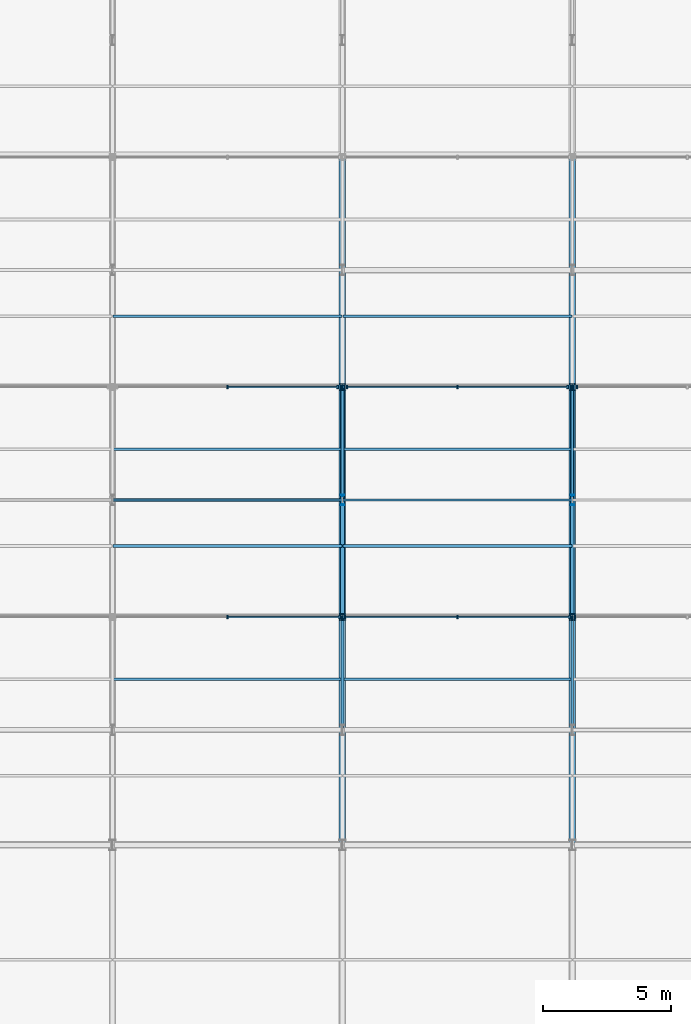
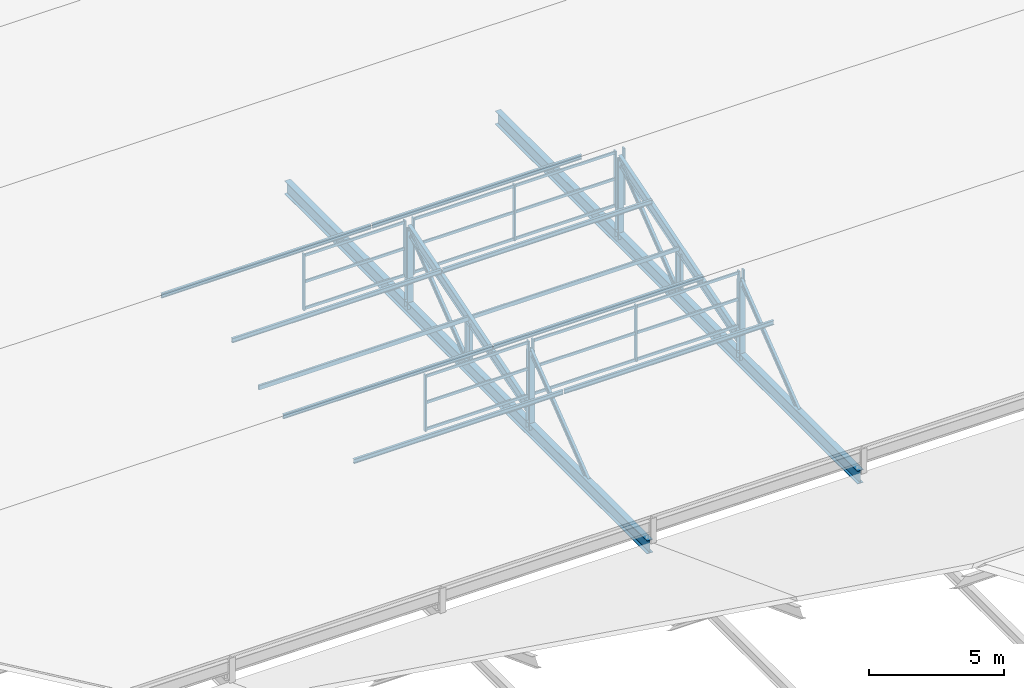
# One storey, part 50 of 163: 52 members, 2 beams, 6 elements without a shape of their own.
"""IFC4 building model written with IfcOpenShell, lengths in metres."""

from ifc_helpers import new_model, si_unit, direction, frame, origin, origin_2d, place, context, subcontext, project, spatial, rectangle, hollow_rectangle, i_section, extrude, material, material_profile, profile_set, type_object, element, aggregate, save


model = new_model("IFC4")

# Units and contexts
model_context = context("Model", 3, precision=1e-05, world=origin(), true_north=direction((0.0, 1.0)))
body_context = subcontext(model_context, "Body", "Model", "MODEL_VIEW")
ifc_project = project(units=[si_unit("LENGTHUNIT", "METRE"), si_unit("AREAUNIT", "SQUARE_METRE"), si_unit("VOLUMEUNIT", "CUBIC_METRE"), si_unit("PLANEANGLEUNIT", "RADIAN"), si_unit("MASSUNIT", "GRAM", prefix="KILO")], contexts=[model_context])

# Site, building, storey
site_placement = place(None, origin())
site = spatial("IfcSite", under=ifc_project, at=site_placement, CompositionType="ELEMENT")
building_placement = place(site_placement, origin())
building = spatial("IfcBuilding", under=site, at=building_placement, Name="Tharagai Park Tramway Depot", CompositionType="ELEMENT")
storey_placement = place(building_placement, frame((0.0, 0.0, 8.39990234375)))
storey = spatial("IfcBuildingStorey", under=building, at=storey_placement, Name="L02", CompositionType="ELEMENT", Elevation=8.39990234375)

# Beams
ifc_material_1 = material(Name="Steel E350", Category="steel")
ifc_material_profile_1 = material_profile(ifc_material_1, i_section(OverallWidth=0.25, OverallDepth=0.60009765625, WebThickness=0.01171875, FlangeThickness=0.023681640625, FilletRadius=0.01708984375, at=origin_2d()), Name="ISWB 600")
ifc_profile_set_1 = profile_set([ifc_material_profile_1], Name="Steel E350")
beam_type = type_object("IfcBeamType", Name="BM-01", PredefinedType="BEAM", material=ifc_profile_set_1)
for number, where, z_axis, x_axis, name in (
    (1, (36.0, 90.080078125, -0.25), (0.0, 1.0, 0.0), (-1.0, 0.0, 0.0), "Sawtooth Truss Bottom Tie Girder BM-01"),
    (2, (45.0, 90.080078125, -0.25), (0.0, 1.0, 0.0), (-1.0, 0.0, 0.0), "Sawtooth Truss Bottom Tie Girder BM-01"),
):
    element("IfcBeam", number, at=place(storey_placement, frame(where, z_axis=z_axis, x_axis=x_axis)), inside=storey, type_object=beam_type, Name=name, PredefinedType="BEAM", context=body_context, shape_type="SweptSolid", body=[
        extrude(i_section(OverallWidth=0.25, OverallDepth=0.60009765625, WebThickness=0.01171875, FlangeThickness=0.023681640625, FilletRadius=0.01708984375, at=origin_2d()), origin(), (0.0, 0.0, 1.0), 26.83984375),
    ])

# Members
ifc_material_profile_2 = material_profile(ifc_material_1, i_section(OverallWidth=0.25, OverallDepth=0.25, WebThickness=0.0087890625, FlangeThickness=0.009765625, FilletRadius=0.010009765625, at=origin_2d()), Name="ISHB 250")
ifc_profile_set_2 = profile_set([ifc_material_profile_2], Name="Steel E350")
member_type_1 = type_object("IfcMemberType", Name="BR-01", PredefinedType="BRACE", material=ifc_profile_set_2)
for number, where, z_axis, x_axis, name in (
    (3, (36.0, 98.919921875, -0.25), (0.0, 0.0, 1.0), (1.0, 0.0, 0.0), "Sawtooth North Vertical Post BR-01"),
    (4, (36.0, 107.919921875, -0.25), (0.0, 0.0, 1.0), (1.0, 0.0, 0.0), "Sawtooth North Vertical Post BR-01"),
    (5, (45.0, 98.919921875, -0.25), (0.0, 0.0, 1.0), (1.0, 0.0, 0.0), "Sawtooth North Vertical Post BR-01"),
    (6, (45.0, 107.919921875, -0.25), (0.0, 0.0, 1.0), (1.0, 0.0, 0.0), "Sawtooth North Vertical Post BR-01"),
):
    element("IfcMember", number, at=place(storey_placement, frame(where, z_axis=z_axis, x_axis=x_axis)), inside=storey, type_object=member_type_1, Name=name, PredefinedType="BRACE", context=body_context, shape_type="SweptSolid", body=[
        extrude(i_section(OverallWidth=0.25, OverallDepth=0.25, WebThickness=0.0087890625, FlangeThickness=0.009765625, FilletRadius=0.010009765625, at=origin_2d()), origin(), (0.0, 0.0, 1.0), 3.55517578125),
    ])
ifc_material_profile_3 = material_profile(ifc_material_1, i_section(OverallWidth=0.110107421875, OverallDepth=0.22509765625, WebThickness=0.006591796875, FlangeThickness=0.01171875, FilletRadius=0.011962890625, at=origin_2d()), Name="ISMB 225")
ifc_profile_set_3 = profile_set([ifc_material_profile_3], Name="Steel E350")
member_type_2 = type_object("IfcMemberType", Name="BR-04", PredefinedType="BRACE", material=ifc_profile_set_3)
for number, where, z_axis, x_axis, name in (
    (7, (36.0, 94.64990234375, 0.0), (0.0, 0.790781596, 0.612098413188), (-1.0, 0.0, 0.0), "Sawtooth Truss Web Diagonal BR-04"),
    (8, (36.0, 103.64990234375, 0.0), (0.0, 0.790781596, 0.612098413188), (-1.0, 0.0, 0.0), "Sawtooth Truss Web Diagonal BR-04"),
    (9, (45.0, 94.64990234375, 0.0), (0.0, 0.790781596, 0.612098413188), (-1.0, 0.0, 0.0), "Sawtooth Truss Web Diagonal BR-04"),
    (10, (45.0, 103.64990234375, 0.0), (0.0, 0.790781596, 0.612098413188), (-1.0, 0.0, 0.0), "Sawtooth Truss Web Diagonal BR-04"),
):
    element("IfcMember", number, at=place(storey_placement, frame(where, z_axis=z_axis, x_axis=x_axis)), inside=storey, type_object=member_type_2, Name=name, PredefinedType="BRACE", context=body_context, shape_type="SweptSolid", body=[
        extrude(i_section(OverallWidth=0.110107421875, OverallDepth=0.22509765625, WebThickness=0.006591796875, FlangeThickness=0.01171875, FilletRadius=0.011962890625, at=origin_2d()), origin(), (0.0, 0.0, 1.0), 5.399658203125),
    ])

# Curtain wall, members
ifc_material_2 = material(Name="Anodised aluminium", Category="aluminium")
curtain_wall_type_1 = type_object("IfcCurtainWallType", Name="CW-04", PredefinedType="NOTDEFINED", material=ifc_material_2)
curtain_wall_1_placement = place(storey_placement, origin())
curtain_wall_1 = element("IfcCurtainWall", 11, at=curtain_wall_1_placement, inside=storey, type_object=curtain_wall_type_1, Name="Sawtooth North-Light Clerestory CW-04", PredefinedType="NOTDEFINED")
ifc_material_profile_4 = material_profile(ifc_material_2, rectangle(XDim=0.06494140625, YDim=0.1201171875, at=origin_2d()), Name="ALU 65x120")
ifc_profile_set_4 = profile_set([ifc_material_profile_4], Name="Anodised aluminium")
member_type_3 = type_object("IfcMemberType", Name="CM-01", PredefinedType="USERDEFINED", material=ifc_profile_set_4)
member_1_placement = place(storey_placement, frame((31.514892578125, 98.919921875, 1.26513671875), z_axis=(1.0, 0.0, 0.0), x_axis=(0.0, 1.0, 0.0)))
member_1 = element("IfcMember", 12, at=member_1_placement, type_object=member_type_3, Name="Sawtooth North-Light Clerestory Transom 2.1", ObjectType="TRANSOM", PredefinedType="USERDEFINED", context=body_context, shape_type="SweptSolid", body=[
    extrude(rectangle(XDim=0.06494140625, YDim=0.1201171875, at=origin_2d()), origin(), (0.0, 0.0, 1.0), 4.3701171875),
])
member_2_placement = place(storey_placement, frame((31.514892578125, 98.919921875, 2.4736328125), z_axis=(1.0, 0.0, 0.0), x_axis=(0.0, 1.0, 0.0)))
member_2 = element("IfcMember", 13, at=member_2_placement, type_object=member_type_3, Name="Sawtooth North-Light Clerestory Transom 2.2", ObjectType="TRANSOM", PredefinedType="USERDEFINED", context=body_context, shape_type="SweptSolid", body=[
    extrude(rectangle(XDim=0.06494140625, YDim=0.1201171875, at=origin_2d()), origin(), (0.0, 0.0, 1.0), 4.3701171875),
])
member_3_placement = place(storey_placement, frame((31.514892578125, 98.919921875, 3.662353515625), z_axis=(1.0, 0.0, 0.0), x_axis=(0.0, 1.0, 0.0)))
member_3 = element("IfcMember", 14, at=member_3_placement, type_object=member_type_3, Name="Sawtooth North-Light Clerestory Transom 2.3", ObjectType="TRANSOM", PredefinedType="USERDEFINED", context=body_context, shape_type="SweptSolid", body=[
    extrude(rectangle(XDim=0.06494140625, YDim=0.1201171875, at=origin_2d()), origin(), (0.0, 0.0, 1.0), 4.3701171875),
])

curtain_wall_2_placement = place(storey_placement, origin())
curtain_wall_2 = element("IfcCurtainWall", 15, at=curtain_wall_2_placement, inside=storey, type_object=curtain_wall_type_1, Name="Sawtooth North-Light Clerestory CW-04", PredefinedType="NOTDEFINED")
member_4_placement = place(storey_placement, frame((36.114990234375, 98.919921875, 1.26513671875), z_axis=(1.0, 0.0, 0.0), x_axis=(0.0, 1.0, 0.0)))
member_4 = element("IfcMember", 16, at=member_4_placement, type_object=member_type_3, Name="Sawtooth North-Light Clerestory Transom 1.1", ObjectType="TRANSOM", PredefinedType="USERDEFINED", context=body_context, shape_type="SweptSolid", body=[
    extrude(rectangle(XDim=0.06494140625, YDim=0.1201171875, at=origin_2d()), origin(), (0.0, 0.0, 1.0), 4.3701171875),
])
member_5_placement = place(storey_placement, frame((36.114990234375, 98.919921875, 2.4736328125), z_axis=(1.0, 0.0, 0.0), x_axis=(0.0, 1.0, 0.0)))
member_5 = element("IfcMember", 17, at=member_5_placement, type_object=member_type_3, Name="Sawtooth North-Light Clerestory Transom 1.2", ObjectType="TRANSOM", PredefinedType="USERDEFINED", context=body_context, shape_type="SweptSolid", body=[
    extrude(rectangle(XDim=0.06494140625, YDim=0.1201171875, at=origin_2d()), origin(), (0.0, 0.0, 1.0), 4.3701171875),
])
member_6_placement = place(storey_placement, frame((36.114990234375, 98.919921875, 3.662353515625), z_axis=(1.0, 0.0, 0.0), x_axis=(0.0, 1.0, 0.0)))
member_6 = element("IfcMember", 18, at=member_6_placement, type_object=member_type_3, Name="Sawtooth North-Light Clerestory Transom 1.3", ObjectType="TRANSOM", PredefinedType="USERDEFINED", context=body_context, shape_type="SweptSolid", body=[
    extrude(rectangle(XDim=0.06494140625, YDim=0.1201171875, at=origin_2d()), origin(), (0.0, 0.0, 1.0), 4.3701171875),
])
member_7_placement = place(storey_placement, frame((40.514892578125, 98.919921875, 1.26513671875), z_axis=(1.0, 0.0, 0.0), x_axis=(0.0, 1.0, 0.0)))
member_7 = element("IfcMember", 19, at=member_7_placement, type_object=member_type_3, Name="Sawtooth North-Light Clerestory Transom 2.1", ObjectType="TRANSOM", PredefinedType="USERDEFINED", context=body_context, shape_type="SweptSolid", body=[
    extrude(rectangle(XDim=0.06494140625, YDim=0.1201171875, at=origin_2d()), origin(), (0.0, 0.0, 1.0), 4.3701171875),
])
member_8_placement = place(storey_placement, frame((40.514892578125, 98.919921875, 2.4736328125), z_axis=(1.0, 0.0, 0.0), x_axis=(0.0, 1.0, 0.0)))
member_8 = element("IfcMember", 20, at=member_8_placement, type_object=member_type_3, Name="Sawtooth North-Light Clerestory Transom 2.2", ObjectType="TRANSOM", PredefinedType="USERDEFINED", context=body_context, shape_type="SweptSolid", body=[
    extrude(rectangle(XDim=0.06494140625, YDim=0.1201171875, at=origin_2d()), origin(), (0.0, 0.0, 1.0), 4.3701171875),
])
member_9_placement = place(storey_placement, frame((40.514892578125, 98.919921875, 3.662353515625), z_axis=(1.0, 0.0, 0.0), x_axis=(0.0, 1.0, 0.0)))
member_9 = element("IfcMember", 21, at=member_9_placement, type_object=member_type_3, Name="Sawtooth North-Light Clerestory Transom 2.3", ObjectType="TRANSOM", PredefinedType="USERDEFINED", context=body_context, shape_type="SweptSolid", body=[
    extrude(rectangle(XDim=0.06494140625, YDim=0.1201171875, at=origin_2d()), origin(), (0.0, 0.0, 1.0), 4.3701171875),
])

curtain_wall_type_2 = type_object("IfcCurtainWallType", Name="CW-03", PredefinedType="NOTDEFINED", material=ifc_material_2)
curtain_wall_3_placement = place(storey_placement, origin())
curtain_wall_3 = element("IfcCurtainWall", 22, at=curtain_wall_3_placement, inside=storey, type_object=curtain_wall_type_2, Name="Sawtooth North-Light Clerestory CW-03", PredefinedType="NOTDEFINED")
member_10_placement = place(storey_placement, frame((31.514892578125, 107.919921875, 1.26513671875), z_axis=(1.0, 0.0, 0.0), x_axis=(0.0, 1.0, 0.0)))
member_10 = element("IfcMember", 23, at=member_10_placement, type_object=member_type_3, Name="Sawtooth North-Light Clerestory Transom 2.1", ObjectType="TRANSOM", PredefinedType="USERDEFINED", context=body_context, shape_type="SweptSolid", body=[
    extrude(rectangle(XDim=0.06494140625, YDim=0.1201171875, at=origin_2d()), origin(), (0.0, 0.0, 1.0), 4.2900390625),
])
member_11_placement = place(storey_placement, frame((31.514892578125, 107.919921875, 2.4736328125), z_axis=(1.0, 0.0, 0.0), x_axis=(0.0, 1.0, 0.0)))
member_11 = element("IfcMember", 24, at=member_11_placement, type_object=member_type_3, Name="Sawtooth North-Light Clerestory Transom 2.2", ObjectType="TRANSOM", PredefinedType="USERDEFINED", context=body_context, shape_type="SweptSolid", body=[
    extrude(rectangle(XDim=0.06494140625, YDim=0.1201171875, at=origin_2d()), origin(), (0.0, 0.0, 1.0), 4.2900390625),
])
member_12_placement = place(storey_placement, frame((31.514892578125, 107.919921875, 3.662353515625), z_axis=(1.0, 0.0, 0.0), x_axis=(0.0, 1.0, 0.0)))
member_12 = element("IfcMember", 25, at=member_12_placement, type_object=member_type_3, Name="Sawtooth North-Light Clerestory Transom 2.3", ObjectType="TRANSOM", PredefinedType="USERDEFINED", context=body_context, shape_type="SweptSolid", body=[
    extrude(rectangle(XDim=0.06494140625, YDim=0.1201171875, at=origin_2d()), origin(), (0.0, 0.0, 1.0), 4.2900390625),
])

curtain_wall_4_placement = place(storey_placement, origin())
curtain_wall_4 = element("IfcCurtainWall", 26, at=curtain_wall_4_placement, inside=storey, type_object=curtain_wall_type_2, Name="Sawtooth North-Light Clerestory CW-03", PredefinedType="NOTDEFINED")
member_13_placement = place(storey_placement, frame((36.195068359375, 107.919921875, 1.26513671875), z_axis=(1.0, 0.0, 0.0), x_axis=(0.0, 1.0, 0.0)))
member_13 = element("IfcMember", 27, at=member_13_placement, type_object=member_type_3, Name="Sawtooth North-Light Clerestory Transom 1.1", ObjectType="TRANSOM", PredefinedType="USERDEFINED", context=body_context, shape_type="SweptSolid", body=[
    extrude(rectangle(XDim=0.06494140625, YDim=0.1201171875, at=origin_2d()), origin(), (0.0, 0.0, 1.0), 4.2900390625),
])
member_14_placement = place(storey_placement, frame((36.195068359375, 107.919921875, 2.4736328125), z_axis=(1.0, 0.0, 0.0), x_axis=(0.0, 1.0, 0.0)))
member_14 = element("IfcMember", 28, at=member_14_placement, type_object=member_type_3, Name="Sawtooth North-Light Clerestory Transom 1.2", ObjectType="TRANSOM", PredefinedType="USERDEFINED", context=body_context, shape_type="SweptSolid", body=[
    extrude(rectangle(XDim=0.06494140625, YDim=0.1201171875, at=origin_2d()), origin(), (0.0, 0.0, 1.0), 4.2900390625),
])
member_15_placement = place(storey_placement, frame((36.195068359375, 107.919921875, 3.662353515625), z_axis=(1.0, 0.0, 0.0), x_axis=(0.0, 1.0, 0.0)))
member_15 = element("IfcMember", 29, at=member_15_placement, type_object=member_type_3, Name="Sawtooth North-Light Clerestory Transom 1.3", ObjectType="TRANSOM", PredefinedType="USERDEFINED", context=body_context, shape_type="SweptSolid", body=[
    extrude(rectangle(XDim=0.06494140625, YDim=0.1201171875, at=origin_2d()), origin(), (0.0, 0.0, 1.0), 4.2900390625),
])
member_16_placement = place(storey_placement, frame((40.514892578125, 107.919921875, 1.26513671875), z_axis=(1.0, 0.0, 0.0), x_axis=(0.0, 1.0, 0.0)))
member_16 = element("IfcMember", 30, at=member_16_placement, type_object=member_type_3, Name="Sawtooth North-Light Clerestory Transom 2.1", ObjectType="TRANSOM", PredefinedType="USERDEFINED", context=body_context, shape_type="SweptSolid", body=[
    extrude(rectangle(XDim=0.06494140625, YDim=0.1201171875, at=origin_2d()), origin(), (0.0, 0.0, 1.0), 4.2900390625),
])
member_17_placement = place(storey_placement, frame((40.514892578125, 107.919921875, 2.4736328125), z_axis=(1.0, 0.0, 0.0), x_axis=(0.0, 1.0, 0.0)))
member_17 = element("IfcMember", 31, at=member_17_placement, type_object=member_type_3, Name="Sawtooth North-Light Clerestory Transom 2.2", ObjectType="TRANSOM", PredefinedType="USERDEFINED", context=body_context, shape_type="SweptSolid", body=[
    extrude(rectangle(XDim=0.06494140625, YDim=0.1201171875, at=origin_2d()), origin(), (0.0, 0.0, 1.0), 4.2900390625),
])
member_18_placement = place(storey_placement, frame((40.514892578125, 107.919921875, 3.662353515625), z_axis=(1.0, 0.0, 0.0), x_axis=(0.0, 1.0, 0.0)))
member_18 = element("IfcMember", 32, at=member_18_placement, type_object=member_type_3, Name="Sawtooth North-Light Clerestory Transom 2.3", ObjectType="TRANSOM", PredefinedType="USERDEFINED", context=body_context, shape_type="SweptSolid", body=[
    extrude(rectangle(XDim=0.06494140625, YDim=0.1201171875, at=origin_2d()), origin(), (0.0, 0.0, 1.0), 4.2900390625),
])

# Member
ifc_material_profile_5 = material_profile(ifc_material_2, rectangle(XDim=0.06494140625, YDim=0.14990234375, at=origin_2d()), Name="ALU 65x150")
ifc_profile_set_5 = profile_set([ifc_material_profile_5], Name="Anodised aluminium")
member_type_4 = type_object("IfcMemberType", Name="CM-03", PredefinedType="MULLION", material=ifc_profile_set_5)
member_19_placement = place(storey_placement, frame((31.5, 98.919921875, 1.2001953125), z_axis=(0.0, 0.0, 1.0), x_axis=(1.0, 0.0, 0.0)))
member_19 = element("IfcMember", 33, at=member_19_placement, type_object=member_type_4, Name="Sawtooth North-Light Clerestory Mullion 2", PredefinedType="MULLION", context=body_context, shape_type="SweptSolid", body=[
    extrude(rectangle(XDim=0.06494140625, YDim=0.14990234375, at=origin_2d()), origin(), (0.0, 0.0, 1.0), 2.547119140625),
])

member_20_placement = place(storey_placement, frame((35.89990234375, 98.919921875, 1.2001953125), z_axis=(0.0, 0.0, 1.0), x_axis=(1.0, 0.0, 0.0)))
member_20 = element("IfcMember", 34, at=member_20_placement, type_object=member_type_4, Name="Sawtooth North-Light Clerestory Mullion 3", PredefinedType="MULLION", context=body_context, shape_type="SweptSolid", body=[
    extrude(rectangle(XDim=0.06494140625, YDim=0.14990234375, at=origin_2d()), origin(), (0.0, 0.0, 1.0), 2.547119140625),
])

aggregate(curtain_wall_1, [member_19, member_20, member_1, member_2, member_3])

member_21_placement = place(storey_placement, frame((36.10009765625, 98.919921875, 1.2001953125), z_axis=(0.0, 0.0, 1.0), x_axis=(1.0, 0.0, 0.0)))
member_21 = element("IfcMember", 35, at=member_21_placement, type_object=member_type_4, Name="Sawtooth North-Light Clerestory Mullion 1", PredefinedType="MULLION", context=body_context, shape_type="SweptSolid", body=[
    extrude(rectangle(XDim=0.06494140625, YDim=0.14990234375, at=origin_2d()), origin(), (0.0, 0.0, 1.0), 2.547119140625),
])

member_22_placement = place(storey_placement, frame((40.5, 98.919921875, 1.2001953125), z_axis=(0.0, 0.0, 1.0), x_axis=(1.0, 0.0, 0.0)))
member_22 = element("IfcMember", 36, at=member_22_placement, type_object=member_type_4, Name="Sawtooth North-Light Clerestory Mullion 2", PredefinedType="MULLION", context=body_context, shape_type="SweptSolid", body=[
    extrude(rectangle(XDim=0.06494140625, YDim=0.14990234375, at=origin_2d()), origin(), (0.0, 0.0, 1.0), 2.547119140625),
])

member_23_placement = place(storey_placement, frame((44.89990234375, 98.919921875, 1.2001953125), z_axis=(0.0, 0.0, 1.0), x_axis=(1.0, 0.0, 0.0)))
member_23 = element("IfcMember", 37, at=member_23_placement, type_object=member_type_4, Name="Sawtooth North-Light Clerestory Mullion 3", PredefinedType="MULLION", context=body_context, shape_type="SweptSolid", body=[
    extrude(rectangle(XDim=0.06494140625, YDim=0.14990234375, at=origin_2d()), origin(), (0.0, 0.0, 1.0), 2.547119140625),
])

aggregate(curtain_wall_2, [member_21, member_22, member_23, member_4, member_5, member_6, member_7, member_8, member_9])

# Curtain wall, member
curtain_wall_5_placement = place(storey_placement, origin())
curtain_wall_5 = element("IfcCurtainWall", 38, at=curtain_wall_5_placement, inside=storey, type_object=curtain_wall_type_1, Name="Sawtooth North-Light Clerestory CW-04", PredefinedType="NOTDEFINED")
member_24_placement = place(storey_placement, frame((45.10009765625, 98.919921875, 1.2001953125), z_axis=(0.0, 0.0, 1.0), x_axis=(1.0, 0.0, 0.0)))
member_24 = element("IfcMember", 39, at=member_24_placement, type_object=member_type_4, Name="Sawtooth North-Light Clerestory Mullion 1", PredefinedType="MULLION", context=body_context, shape_type="SweptSolid", body=[
    extrude(rectangle(XDim=0.06494140625, YDim=0.14990234375, at=origin_2d()), origin(), (0.0, 0.0, 1.0), 2.547119140625),
])
aggregate(curtain_wall_5, [member_24])

# Member
member_25_placement = place(storey_placement, frame((31.5, 107.919921875, 1.2001953125), z_axis=(0.0, 0.0, 1.0), x_axis=(1.0, 0.0, 0.0)))
member_25 = element("IfcMember", 40, at=member_25_placement, type_object=member_type_4, Name="Sawtooth North-Light Clerestory Mullion 2", PredefinedType="MULLION", context=body_context, shape_type="SweptSolid", body=[
    extrude(rectangle(XDim=0.06494140625, YDim=0.14990234375, at=origin_2d()), origin(), (0.0, 0.0, 1.0), 2.547119140625),
])

member_26_placement = place(storey_placement, frame((35.820068359375, 107.919921875, 1.2001953125), z_axis=(0.0, 0.0, 1.0), x_axis=(1.0, 0.0, 0.0)))
member_26 = element("IfcMember", 41, at=member_26_placement, type_object=member_type_4, Name="Sawtooth North-Light Clerestory Mullion 3", PredefinedType="MULLION", context=body_context, shape_type="SweptSolid", body=[
    extrude(rectangle(XDim=0.06494140625, YDim=0.14990234375, at=origin_2d()), origin(), (0.0, 0.0, 1.0), 2.547119140625),
])

aggregate(curtain_wall_3, [member_25, member_26, member_10, member_11, member_12])

member_27_placement = place(storey_placement, frame((36.179931640625, 107.919921875, 1.2001953125), z_axis=(0.0, 0.0, 1.0), x_axis=(1.0, 0.0, 0.0)))
member_27 = element("IfcMember", 42, at=member_27_placement, type_object=member_type_4, Name="Sawtooth North-Light Clerestory Mullion 1", PredefinedType="MULLION", context=body_context, shape_type="SweptSolid", body=[
    extrude(rectangle(XDim=0.06494140625, YDim=0.14990234375, at=origin_2d()), origin(), (0.0, 0.0, 1.0), 2.547119140625),
])

member_28_placement = place(storey_placement, frame((40.5, 107.919921875, 1.2001953125), z_axis=(0.0, 0.0, 1.0), x_axis=(1.0, 0.0, 0.0)))
member_28 = element("IfcMember", 43, at=member_28_placement, type_object=member_type_4, Name="Sawtooth North-Light Clerestory Mullion 2", PredefinedType="MULLION", context=body_context, shape_type="SweptSolid", body=[
    extrude(rectangle(XDim=0.06494140625, YDim=0.14990234375, at=origin_2d()), origin(), (0.0, 0.0, 1.0), 2.547119140625),
])

member_29_placement = place(storey_placement, frame((44.820068359375, 107.919921875, 1.2001953125), z_axis=(0.0, 0.0, 1.0), x_axis=(1.0, 0.0, 0.0)))
member_29 = element("IfcMember", 44, at=member_29_placement, type_object=member_type_4, Name="Sawtooth North-Light Clerestory Mullion 3", PredefinedType="MULLION", context=body_context, shape_type="SweptSolid", body=[
    extrude(rectangle(XDim=0.06494140625, YDim=0.14990234375, at=origin_2d()), origin(), (0.0, 0.0, 1.0), 2.547119140625),
])

aggregate(curtain_wall_4, [member_27, member_28, member_29, member_13, member_14, member_15, member_16, member_17, member_18])

# Curtain wall, member
curtain_wall_6_placement = place(storey_placement, origin())
curtain_wall_6 = element("IfcCurtainWall", 45, at=curtain_wall_6_placement, inside=storey, type_object=curtain_wall_type_2, Name="Sawtooth North-Light Clerestory CW-03", PredefinedType="NOTDEFINED")
member_30_placement = place(storey_placement, frame((45.179931640625, 107.919921875, 1.2001953125), z_axis=(0.0, 0.0, 1.0), x_axis=(1.0, 0.0, 0.0)))
member_30 = element("IfcMember", 46, at=member_30_placement, type_object=member_type_4, Name="Sawtooth North-Light Clerestory Mullion 1", PredefinedType="MULLION", context=body_context, shape_type="SweptSolid", body=[
    extrude(rectangle(XDim=0.06494140625, YDim=0.14990234375, at=origin_2d()), origin(), (0.0, 0.0, 1.0), 2.547119140625),
])
aggregate(curtain_wall_6, [member_30])

# Members
ifc_material_3 = material(Name="Steel E250", Category="steel")
ifc_material_profile_6 = material_profile(ifc_material_3, i_section(OverallWidth=0.10009765625, OverallDepth=0.199951171875, WebThickness=0.00537109375, FlangeThickness=0.00732421875, FilletRadius=0.009033203125, at=origin_2d()), Name="ISLB 200")
ifc_profile_set_6 = profile_set([ifc_material_profile_6], Name="Steel E250")
member_type_5 = type_object("IfcMemberType", Name="PR-03", PredefinedType="PURLIN", material=ifc_profile_set_6)
for number, where, z_axis, x_axis, name in (
    (47, (27.02001953125, 101.699951171875, 1.733154296875), (1.0, 0.0, 0.0), (0.0, 1.0, 0.0), "Sawtooth Roof Purlin PR-03"),
    (48, (27.02001953125, 105.47998046875, 2.87451171875), (1.0, 0.0, 0.0), (0.0, 1.0, 0.0), "Sawtooth Roof Purlin PR-03"),
    (49, (36.02001953125, 101.699951171875, 1.733154296875), (1.0, 0.0, 0.0), (0.0, 1.0, 0.0), "Sawtooth Roof Purlin PR-03"),
    (50, (36.02001953125, 105.47998046875, 2.87451171875), (1.0, 0.0, 0.0), (0.0, 1.0, 0.0), "Sawtooth Roof Purlin PR-03"),
):
    element("IfcMember", number, at=place(storey_placement, frame(where, z_axis=z_axis, x_axis=x_axis)), inside=storey, type_object=member_type_5, Name=name, PredefinedType="PURLIN", context=body_context, shape_type="SweptSolid", body=[
        extrude(i_section(OverallWidth=0.10009765625, OverallDepth=0.199951171875, WebThickness=0.00537109375, FlangeThickness=0.00732421875, FilletRadius=0.009033203125, at=origin_2d()), origin(), (0.0, 0.0, 1.0), 8.9599609375),
    ])
ifc_material_profile_7 = material_profile(ifc_material_3, i_section(OverallWidth=0.10009765625, OverallDepth=0.199951171875, WebThickness=0.005615234375, FlangeThickness=0.0107421875, FilletRadius=0.010986328125, at=origin_2d()), Name="ISMB 200")
ifc_profile_set_7 = profile_set([ifc_material_profile_7], Name="Steel E250")
member_type_6 = type_object("IfcMemberType", Name="PR-04", PredefinedType="PURLIN", material=ifc_profile_set_7)
for number, where, z_axis, x_axis, name in (
    (51, (27.02001953125, 96.47998046875, 2.87451171875), (1.0, 0.0, 0.0), (0.0, 1.0, 0.0), "Sawtooth Roof Purlin PR-04"),
    (52, (27.02001953125, 110.699951171875, 1.733154296875), (1.0, 0.0, 0.0), (0.0, 1.0, 0.0), "Sawtooth Roof Purlin PR-04"),
    (53, (36.02001953125, 96.47998046875, 2.87451171875), (1.0, 0.0, 0.0), (0.0, 1.0, 0.0), "Sawtooth Roof Purlin PR-04"),
    (54, (36.02001953125, 110.699951171875, 1.733154296875), (1.0, 0.0, 0.0), (0.0, 1.0, 0.0), "Sawtooth Roof Purlin PR-04"),
):
    element("IfcMember", number, at=place(storey_placement, frame(where, z_axis=z_axis, x_axis=x_axis)), inside=storey, type_object=member_type_6, Name=name, PredefinedType="PURLIN", context=body_context, shape_type="SweptSolid", body=[
        extrude(i_section(OverallWidth=0.10009765625, OverallDepth=0.199951171875, WebThickness=0.005615234375, FlangeThickness=0.0107421875, FilletRadius=0.010986328125, at=origin_2d()), origin(), (0.0, 0.0, 1.0), 8.9599609375),
    ])
ifc_material_profile_8 = material_profile(ifc_material_1, hollow_rectangle(XDim=0.10009765625, YDim=0.199951171875, WallThickness=0.006103515625, InnerFilletRadius=0.006103515625, OuterFilletRadius=0.011962890625, at=origin_2d()), Name="RHS 200x100x6")
ifc_profile_set_8 = profile_set([ifc_material_profile_8], Name="Steel E350")
member_type_7 = type_object("IfcMemberType", Name="RF-04", PredefinedType="RAFTER", material=ifc_profile_set_8)
member_31_placement = place(storey_placement, frame((27.02001953125, 103.5, 1.946533203125), z_axis=(1.0, 0.0, 0.0), x_axis=(0.0, 1.0, 0.0)))
element("IfcMember", 55, at=member_31_placement, inside=storey, type_object=member_type_7, Name="Sawtooth Tubular Tie Strut RF-04", PredefinedType="RAFTER", context=body_context, shape_type="SweptSolid", body=[
    extrude(hollow_rectangle(XDim=0.10009765625, YDim=0.199951171875, WallThickness=0.006103515625, InnerFilletRadius=0.006103515625, OuterFilletRadius=0.011962890625, at=origin_2d()), origin(), (0.0, 0.0, 1.0), 8.9599609375),
])
ifc_material_profile_9 = material_profile(ifc_material_1, hollow_rectangle(XDim=0.090087890625, YDim=0.179931640625, WallThickness=0.006103515625, InnerFilletRadius=0.006103515625, OuterFilletRadius=0.011962890625, at=origin_2d()), Name="RHS 180x90x6")
ifc_profile_set_9 = profile_set([ifc_material_profile_9], Name="Steel E350")
member_type_8 = type_object("IfcMemberType", Name="RF-05", PredefinedType="RAFTER", material=ifc_profile_set_9)
member_32_placement = place(storey_placement, frame((36.02001953125, 103.5, 1.946533203125), z_axis=(1.0, 0.0, 0.0), x_axis=(0.0, 1.0, 0.0)))
element("IfcMember", 56, at=member_32_placement, inside=storey, type_object=member_type_8, Name="Sawtooth Tubular Tie Strut RF-05", PredefinedType="RAFTER", context=body_context, shape_type="SweptSolid", body=[
    extrude(hollow_rectangle(XDim=0.090087890625, YDim=0.179931640625, WallThickness=0.006103515625, InnerFilletRadius=0.006103515625, OuterFilletRadius=0.011962890625, at=origin_2d()), origin(), (0.0, 0.0, 1.0), 8.9599609375),
])
ifc_material_profile_10 = material_profile(ifc_material_1, i_section(OverallWidth=0.14990234375, OverallDepth=0.449951171875, WebThickness=0.009521484375, FlangeThickness=0.017333984375, FilletRadius=0.014892578125, at=origin_2d()), Name="ISMB 450")
ifc_profile_set_10 = profile_set([ifc_material_profile_10], Name="Steel E350")
member_type_9 = type_object("IfcMemberType", Name="TC-05", PredefinedType="CHORD", material=ifc_profile_set_10)
for number, where, z_axis, x_axis, name in (
    (57, (36.0, 99.06005859375, 0.587890625), (0.0, 0.956231486327, 0.29261125159), (-1.0, 0.0, 0.0), "Sawtooth Top Chord TC-05"),
    (58, (45.0, 99.06005859375, 0.587890625), (0.0, 0.956231486327, 0.29261125159), (-1.0, 0.0, 0.0), "Sawtooth Top Chord TC-05"),
):
    element("IfcMember", number, at=place(storey_placement, frame(where, z_axis=z_axis, x_axis=x_axis)), inside=storey, type_object=member_type_9, Name=name, PredefinedType="CHORD", context=body_context, shape_type="SweptSolid", body=[
        extrude(i_section(OverallWidth=0.14990234375, OverallDepth=0.449951171875, WebThickness=0.009521484375, FlangeThickness=0.017333984375, FilletRadius=0.014892578125, at=origin_2d()), origin(), (0.0, 0.0, 1.0), 9.286376953125),
    ])
ifc_material_profile_11 = material_profile(ifc_material_1, i_section(OverallWidth=0.139892578125, OverallDepth=0.39990234375, WebThickness=0.0087890625, FlangeThickness=0.01611328125, FilletRadius=0.013916015625, at=origin_2d()), Name="ISMB 400")
ifc_profile_set_11 = profile_set([ifc_material_profile_11], Name="Steel E350")
member_type_10 = type_object("IfcMemberType", Name="TC-06", PredefinedType="CHORD", material=ifc_profile_set_11)
for number, where, z_axis, x_axis, name in (
    (59, (36.0, 103.5, -0.0498046875), (0.0, 0.0, 1.0), (1.0, 0.0, 0.0), "Sawtooth Mid-Tooth Strut TC-06"),
    (60, (45.0, 103.5, -0.0498046875), (0.0, 0.0, 1.0), (1.0, 0.0, 0.0), "Sawtooth Mid-Tooth Strut TC-06"),
):
    element("IfcMember", number, at=place(storey_placement, frame(where, z_axis=z_axis, x_axis=x_axis)), inside=storey, type_object=member_type_10, Name=name, PredefinedType="CHORD", context=body_context, shape_type="SweptSolid", body=[
        extrude(i_section(OverallWidth=0.139892578125, OverallDepth=0.39990234375, WebThickness=0.0087890625, FlangeThickness=0.01611328125, FilletRadius=0.013916015625, at=origin_2d()), origin(), (0.0, 0.0, 1.0), 1.846435546875),
    ])

save(model, "model.ifc")
